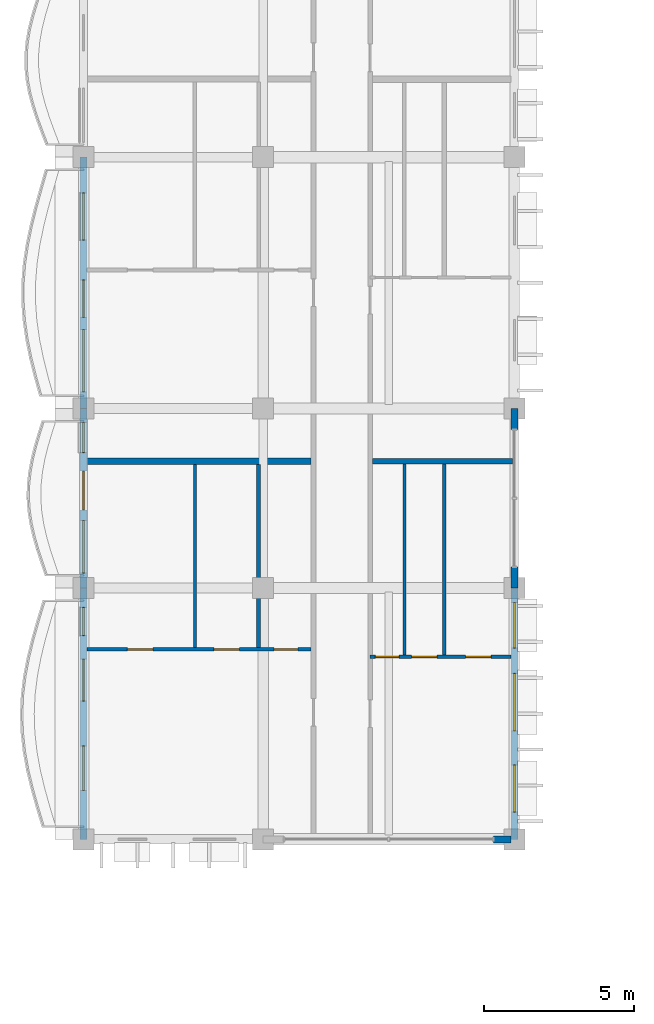
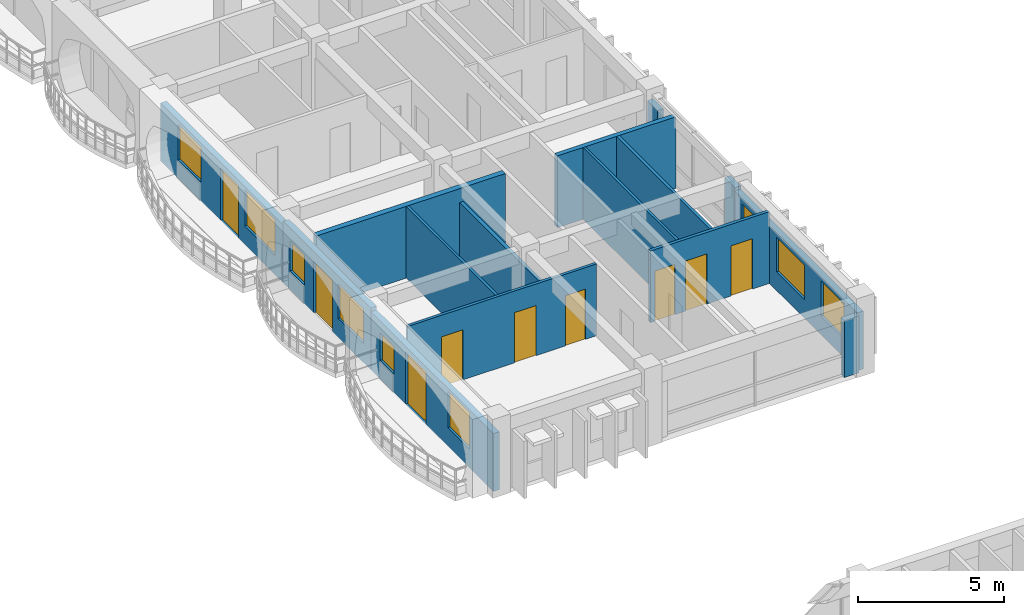
# One storey, part 31 of 79: 15 walls, 9 doors, 9 windows, 18 openings.
"""IFC4 building model written with IfcOpenShell, lengths in metres."""

from ifc_helpers import new_model, si_unit, direction, frame, frame_2d, origin, place, context, subcontext, project, spatial, rectangle, extrude, material, layer, layer_set, type_object, element, fill, save


model = new_model("IFC4")

# Units and contexts
model_context = context("Model", 3, precision=1e-05, world=origin(), true_north=direction((0.0, 1.0)))
body_context = subcontext(model_context, "Body", "Model", "MODEL_VIEW")
ifc_project = project(units=[si_unit("LENGTHUNIT", "METRE"), si_unit("AREAUNIT", "SQUARE_METRE"), si_unit("VOLUMEUNIT", "CUBIC_METRE"), si_unit("PLANEANGLEUNIT", "RADIAN"), si_unit("MASSUNIT", "GRAM", prefix="KILO"), si_unit("THERMODYNAMICTEMPERATUREUNIT", "KELVIN")], contexts=[model_context])

# Site, building, storey
site_placement = place(None, origin())
site = spatial("IfcSite", under=ifc_project, at=site_placement, CompositionType="ELEMENT")
building_placement = place(site_placement, origin())
building = spatial("IfcBuilding", under=site, at=building_placement, Name="Thalorik Housing Commons", CompositionType="ELEMENT")
storey_placement = place(building_placement, frame((0.0, 0.0, 11.39990234375)))
storey = spatial("IfcBuildingStorey", under=building, at=storey_placement, Name="L03", CompositionType="ELEMENT", Elevation=11.39990234375)

# Wall, openings, door, windows
ifc_material_1 = material(Name="White precast concrete C40/50", Category="concrete")
ifc_layer_1 = layer(ifc_material_1, 0.235107421875, Name="White precast concrete C40/50", Category="concrete")
ifc_layer_set_1 = layer_set([ifc_layer_1], Name="White precast concrete C40/50")
wall_type_1 = type_object("IfcWallType", Name="ARC-WAL-EXT-235", PredefinedType="STANDARD", material=ifc_layer_set_1)
wall_1_placement = place(storey_placement, frame((8.39990234375, 94.800048828125, 0.0), z_axis=(0.0, 0.0, 1.0), x_axis=(0.0, -1.0, 0.0)))
wall_1 = element("IfcWall", 1, at=wall_1_placement, inside=storey, type_object=wall_type_1, Name="L03 Exterior Wall WAL-EXT-L03-A-0103", PredefinedType="STANDARD", context=body_context, shape_type="SweptSolid", body=[
    extrude(rectangle(XDim=8.400146484375, YDim=0.235107421875, at=frame_2d((4.2001953125, 0.0))), origin(), (0.0, 0.0, 1.0), 2.425048828125),
])
opening_1_placement = place(wall_1_placement, frame((4.10498046875, 0.0, 0.0)))
opening_1 = element("IfcOpeningElement", 2, at=opening_1_placement, cuts=wall_1, Name="Opening ED-0027", PredefinedType="OPENING", context=body_context, shape_type="SweptSolid", body=[
    extrude(rectangle(XDim=1.25, YDim=2.199951171875, at=frame_2d((0.625, 1.10009765625))), frame((0.0, 0.12744140625, 0.0), z_axis=(0.0, -1.0, 0.0), x_axis=(1.0, 0.0, 0.0)), (0.0, 0.0, 1.0), 0.255126953125),
])
opening_2_placement = place(wall_1_placement, frame((1.1923828125, 0.0, 0.780029296875)))
opening_2 = element("IfcOpeningElement", 3, at=opening_2_placement, cuts=wall_1, Name="Opening W-53", PredefinedType="OPENING", context=body_context, shape_type="SweptSolid", body=[
    extrude(rectangle(XDim=1.580078125, YDim=1.47998046875, at=frame_2d((0.7900390625, 0.739990234375))), frame((0.0, 0.12744140625, 0.0), z_axis=(0.0, -1.0, 0.0), x_axis=(1.0, 0.0, 0.0)), (0.0, 0.0, 1.0), 0.255126953125),
])
opening_3_placement = place(wall_1_placement, frame((5.767578125, 0.0, 0.780029296875)))
opening_3 = element("IfcOpeningElement", 4, at=opening_3_placement, cuts=wall_1, Name="Opening W-63", PredefinedType="OPENING", context=body_context, shape_type="SweptSolid", body=[
    extrude(rectangle(XDim=2.080078125, YDim=1.52001953125, at=frame_2d((1.0400390625, 0.760009765625))), frame((0.0, 0.12744140625, 0.0), z_axis=(0.0, -1.0, 0.0), x_axis=(1.0, 0.0, 0.0)), (0.0, 0.0, 1.0), 0.255126953125),
])
ifc_material_2 = material(Name="Anodised aluminium and laminated safety glass", Category="aluminium")
door_type_1 = type_object("IfcDoorType", Name="ARC-DR-BAL-1250", OperationType="NOTDEFINED", PredefinedType="DOOR", material=ifc_material_2)
door_1_placement = place(opening_1_placement, frame((1.25, 0.0, 0.0), z_axis=(0.0, 0.0, 1.0), x_axis=(-1.0, 0.0, 0.0)))
door_1 = element("IfcDoor", 5, at=door_1_placement, inside=storey, type_object=door_type_1, Name="L03 Block A Balcony Glazed Door", OperationType="SINGLE_SWING_RIGHT", OverallHeight=2.199951171875, OverallWidth=1.25, PredefinedType="DOOR", context=body_context, shape_type="SweptSolid", body=[
    extrude(rectangle(XDim=1.25, YDim=2.199951171875, at=frame_2d((0.625, 1.10009765625))), frame((0.0, 0.02490234375, 0.0), z_axis=(0.0, -1.0, 0.0), x_axis=(1.0, 0.0, 0.0)), (0.0, 0.0, 1.0), 0.050048828125),
])
fill(opening_1, door_1)
ifc_material_3 = material(Name="Anodised aluminium and solar-control low-E glass", Category="aluminium")
window_type_1 = type_object("IfcWindowType", Name="ARC-WIN-53", PartitioningType="SINGLE_PANEL", PredefinedType="WINDOW", material=ifc_material_3)
window_1_placement = place(opening_2_placement, origin())
window_1 = element("IfcWindow", 6, at=window_1_placement, inside=storey, type_object=window_type_1, Name="L03 Facade Window 180", OverallHeight=1.47998046875, OverallWidth=1.580078125, PartitioningType="SINGLE_PANEL", PredefinedType="WINDOW", context=body_context, shape_type="SweptSolid", body=[
    extrude(rectangle(XDim=1.580078125, YDim=1.47998046875, at=frame_2d((0.7900390625, 0.739990234375))), frame((0.0, 0.030029296875, 0.0), z_axis=(0.0, -1.0, 0.0), x_axis=(1.0, 0.0, 0.0)), (0.0, 0.0, 1.0), 0.06005859375),
])
fill(opening_2, window_1)
window_type_2 = type_object("IfcWindowType", Name="ARC-WIN-63", PartitioningType="DOUBLE_PANEL_VERTICAL", PredefinedType="WINDOW", material=ifc_material_3)
window_2_placement = place(opening_3_placement, origin())
window_2 = element("IfcWindow", 7, at=window_2_placement, inside=storey, type_object=window_type_2, Name="L03 Facade Window 181", OverallHeight=1.52001953125, OverallWidth=2.080078125, PartitioningType="DOUBLE_PANEL_VERTICAL", PredefinedType="WINDOW", context=body_context, shape_type="SweptSolid", body=[
    extrude(rectangle(XDim=2.080078125, YDim=1.52001953125, at=frame_2d((1.0400390625, 0.760009765625))), frame((0.0, 0.030029296875, 0.0), z_axis=(0.0, -1.0, 0.0), x_axis=(1.0, 0.0, 0.0)), (0.0, 0.0, 1.0), 0.06005859375),
])
fill(opening_3, window_2)

wall_2_placement = place(storey_placement, frame((8.39990234375, 86.39990234375, 0.0), z_axis=(0.0, 0.0, 1.0), x_axis=(0.0, -1.0, 0.0)))
wall_2 = element("IfcWall", 8, at=wall_2_placement, inside=storey, type_object=wall_type_1, Name="L03 Exterior Wall WAL-EXT-L03-A-0104", PredefinedType="STANDARD", context=body_context, shape_type="SweptSolid", body=[
    extrude(rectangle(XDim=6.0, YDim=0.235107421875, at=frame_2d((3.0, 0.0))), origin(), (0.0, 0.0, 1.0), 2.5751953125),
])
opening_4_placement = place(wall_2_placement, frame((2.090087890625, 0.0, 0.0)))
opening_4 = element("IfcOpeningElement", 9, at=opening_4_placement, cuts=wall_2, Name="Opening ED-0028", PredefinedType="OPENING", context=body_context, shape_type="SweptSolid", body=[
    extrude(rectangle(XDim=1.300048828125, YDim=2.14990234375, at=frame_2d((0.64990234375, 1.074951171875))), frame((0.0, 0.12744140625, 0.0), z_axis=(0.0, -1.0, 0.0), x_axis=(1.0, 0.0, 0.0)), (0.0, 0.0, 1.0), 0.255126953125),
])
opening_5_placement = place(wall_2_placement, frame((0.47509765625, 0.0, 0.780029296875)))
opening_5 = element("IfcOpeningElement", 10, at=opening_5_placement, cuts=wall_2, Name="Opening W-02", PredefinedType="OPENING", context=body_context, shape_type="SweptSolid", body=[
    extrude(rectangle(XDim=1.0, YDim=1.25, at=frame_2d((0.5, 0.625))), frame((0.0, 0.12744140625, 0.0), z_axis=(0.0, -1.0, 0.0), x_axis=(1.0, 0.0, 0.0)), (0.0, 0.0, 1.0), 0.255126953125),
])
opening_6_placement = place(wall_2_placement, frame((3.75, 0.0, 0.780029296875)))
opening_6 = element("IfcOpeningElement", 11, at=opening_6_placement, cuts=wall_2, Name="Opening W-17", PredefinedType="OPENING", context=body_context, shape_type="SweptSolid", body=[
    extrude(rectangle(XDim=1.75, YDim=1.449951171875, at=frame_2d((0.875, 0.72509765625))), frame((0.0, 0.12744140625, 0.0), z_axis=(0.0, -1.0, 0.0), x_axis=(1.0, 0.0, 0.0)), (0.0, 0.0, 1.0), 0.255126953125),
])
door_type_2 = type_object("IfcDoorType", Name="ARC-DR-BAL-1300", OperationType="NOTDEFINED", PredefinedType="DOOR", material=ifc_material_2)
door_2_placement = place(opening_4_placement, frame((1.300048828125, 0.0, 0.0), z_axis=(0.0, 0.0, 1.0), x_axis=(-1.0, 0.0, 0.0)))
door_2 = element("IfcDoor", 12, at=door_2_placement, inside=storey, type_object=door_type_2, Name="L03 Block A Balcony Glazed Door", OperationType="SINGLE_SWING_LEFT", OverallHeight=2.14990234375, OverallWidth=1.300048828125, PredefinedType="DOOR", context=body_context, shape_type="SweptSolid", body=[
    extrude(rectangle(XDim=1.300048828125, YDim=2.14990234375, at=frame_2d((0.64990234375, 1.074951171875))), frame((0.0, 0.02490234375, 0.0), z_axis=(0.0, -1.0, 0.0), x_axis=(1.0, 0.0, 0.0)), (0.0, 0.0, 1.0), 0.050048828125),
])
fill(opening_4, door_2)
window_type_3 = type_object("IfcWindowType", Name="ARC-WIN-02", PartitioningType="SINGLE_PANEL", PredefinedType="WINDOW", material=ifc_material_3)
window_3_placement = place(opening_5_placement, origin())
window_3 = element("IfcWindow", 13, at=window_3_placement, inside=storey, type_object=window_type_3, Name="L03 Facade Window 182", OverallHeight=1.25, OverallWidth=1.0, PartitioningType="SINGLE_PANEL", PredefinedType="WINDOW", context=body_context, shape_type="SweptSolid", body=[
    extrude(rectangle(XDim=1.0, YDim=1.25, at=frame_2d((0.5, 0.625))), frame((0.0, 0.030029296875, 0.0), z_axis=(0.0, -1.0, 0.0), x_axis=(1.0, 0.0, 0.0)), (0.0, 0.0, 1.0), 0.06005859375),
])
fill(opening_5, window_3)
window_type_4 = type_object("IfcWindowType", Name="ARC-WIN-17", PartitioningType="DOUBLE_PANEL_VERTICAL", PredefinedType="WINDOW", material=ifc_material_3)
window_4_placement = place(opening_6_placement, origin())
window_4 = element("IfcWindow", 14, at=window_4_placement, inside=storey, type_object=window_type_4, Name="L03 Facade Window 183", OverallHeight=1.449951171875, OverallWidth=1.75, PartitioningType="DOUBLE_PANEL_VERTICAL", PredefinedType="WINDOW", context=body_context, shape_type="SweptSolid", body=[
    extrude(rectangle(XDim=1.75, YDim=1.449951171875, at=frame_2d((0.875, 0.72509765625))), frame((0.0, 0.030029296875, 0.0), z_axis=(0.0, -1.0, 0.0), x_axis=(1.0, 0.0, 0.0)), (0.0, 0.0, 1.0), 0.06005859375),
])
fill(opening_6, window_4)

wall_3_placement = place(storey_placement, frame((8.39990234375, 80.39990234375, 0.0), z_axis=(0.0, 0.0, 1.0), x_axis=(0.0, -1.0, 0.0)))
wall_3 = element("IfcWall", 15, at=wall_3_placement, inside=storey, type_object=wall_type_1, Name="L03 Exterior Wall WAL-EXT-L03-A-0105", PredefinedType="STANDARD", context=body_context, shape_type="SweptSolid", body=[
    extrude(rectangle(XDim=8.39990234375, YDim=0.235107421875, at=frame_2d((4.199951171875, 0.0))), origin(), (0.0, 0.0, 1.0), 2.425048828125),
])
opening_7_placement = place(wall_3_placement, frame((2.3798828125, 0.0, 0.0)))
opening_7 = element("IfcOpeningElement", 16, at=opening_7_placement, cuts=wall_3, Name="Opening ED-0029", PredefinedType="OPENING", context=body_context, shape_type="SweptSolid", body=[
    extrude(rectangle(XDim=1.39990234375, YDim=2.199951171875, at=frame_2d((0.699951171875, 1.10009765625))), frame((0.0, 0.12744140625, 0.0), z_axis=(0.0, -1.0, 0.0), x_axis=(1.0, 0.0, 0.0)), (0.0, 0.0, 1.0), 0.255126953125),
])
opening_8_placement = place(wall_3_placement, frame((0.64501953125, 0.0, 0.780029296875)))
opening_8 = element("IfcOpeningElement", 17, at=opening_8_placement, cuts=wall_3, Name="Opening W-43", PredefinedType="OPENING", context=body_context, shape_type="SweptSolid", body=[
    extrude(rectangle(XDim=0.949951171875, YDim=1.14990234375, at=frame_2d((0.47509765625, 0.574951171875))), frame((0.0, 0.12744140625, 0.0), z_axis=(0.0, -1.0, 0.0), x_axis=(1.0, 0.0, 0.0)), (0.0, 0.0, 1.0), 0.255126953125),
])
opening_9_placement = place(wall_3_placement, frame((5.280029296875, 0.0, 0.780029296875)))
opening_9 = element("IfcOpeningElement", 18, at=opening_9_placement, cuts=wall_3, Name="Opening W-51", PredefinedType="OPENING", context=body_context, shape_type="SweptSolid", body=[
    extrude(rectangle(XDim=1.47998046875, YDim=1.52001953125, at=frame_2d((0.739990234375, 0.760009765625))), frame((0.0, 0.12744140625, 0.0), z_axis=(0.0, -1.0, 0.0), x_axis=(1.0, 0.0, 0.0)), (0.0, 0.0, 1.0), 0.255126953125),
])
door_type_3 = type_object("IfcDoorType", Name="ARC-DR-BAL-1400", OperationType="NOTDEFINED", PredefinedType="DOOR", material=ifc_material_2)
door_3_placement = place(opening_7_placement, frame((1.39990234375, 0.0, 0.0), z_axis=(0.0, 0.0, 1.0), x_axis=(-1.0, 0.0, 0.0)))
door_3 = element("IfcDoor", 19, at=door_3_placement, inside=storey, type_object=door_type_3, Name="L03 Block A Balcony Glazed Door", OperationType="SLIDING_TO_LEFT", OverallHeight=2.199951171875, OverallWidth=1.39990234375, PredefinedType="DOOR", context=body_context, shape_type="SweptSolid", body=[
    extrude(rectangle(XDim=1.39990234375, YDim=2.199951171875, at=frame_2d((0.699951171875, 1.10009765625))), frame((0.0, 0.02490234375, 0.0), z_axis=(0.0, -1.0, 0.0), x_axis=(1.0, 0.0, 0.0)), (0.0, 0.0, 1.0), 0.050048828125),
])
fill(opening_7, door_3)
window_type_5 = type_object("IfcWindowType", Name="ARC-WIN-43", PartitioningType="SINGLE_PANEL", PredefinedType="WINDOW", material=ifc_material_3)
window_5_placement = place(opening_8_placement, origin())
window_5 = element("IfcWindow", 20, at=window_5_placement, inside=storey, type_object=window_type_5, Name="L03 Facade Window 184", OverallHeight=1.14990234375, OverallWidth=0.949951171875, PartitioningType="SINGLE_PANEL", PredefinedType="WINDOW", context=body_context, shape_type="SweptSolid", body=[
    extrude(rectangle(XDim=0.949951171875, YDim=1.14990234375, at=frame_2d((0.47509765625, 0.574951171875))), frame((0.0, 0.030029296875, 0.0), z_axis=(0.0, -1.0, 0.0), x_axis=(1.0, 0.0, 0.0)), (0.0, 0.0, 1.0), 0.06005859375),
])
fill(opening_8, window_5)
window_type_6 = type_object("IfcWindowType", Name="ARC-WIN-51", PartitioningType="SINGLE_PANEL", PredefinedType="WINDOW", material=ifc_material_3)
window_6_placement = place(opening_9_placement, origin())
window_6 = element("IfcWindow", 21, at=window_6_placement, inside=storey, type_object=window_type_6, Name="L03 Facade Window 185", OverallHeight=1.52001953125, OverallWidth=1.47998046875, PartitioningType="SINGLE_PANEL", PredefinedType="WINDOW", context=body_context, shape_type="SweptSolid", body=[
    extrude(rectangle(XDim=1.47998046875, YDim=1.52001953125, at=frame_2d((0.739990234375, 0.760009765625))), frame((0.0, 0.030029296875, 0.0), z_axis=(0.0, -1.0, 0.0), x_axis=(1.0, 0.0, 0.0)), (0.0, 0.0, 1.0), 0.06005859375),
])
fill(opening_9, window_6)

# Wall
wall_4_placement = place(storey_placement, frame((22.10009765625, 72.0, 0.0), z_axis=(0.0, 0.0, 1.0), x_axis=(1.0, 0.0, 0.0)))
element("IfcWall", 22, at=wall_4_placement, inside=storey, type_object=wall_type_1, Name="L03 Exterior Wall WAL-PIERR-L03-A-0107", PredefinedType="STANDARD", context=body_context, shape_type="SweptSolid", body=[
    extrude(rectangle(XDim=0.580322265625, YDim=0.235107421875, at=frame_2d((0.2900390625, 0.0))), origin(), (0.0, 0.0, 1.0), 2.375),
])

# Wall, openings, windows
wall_5_placement = place(storey_placement, frame((22.800048828125, 72.0, 0.0), z_axis=(0.0, 0.0, 1.0), x_axis=(0.0, 1.0, 0.0)))
wall_5 = element("IfcWall", 23, at=wall_5_placement, inside=storey, type_object=wall_type_1, Name="L03 Exterior Wall WAL-EXT-L03-A-0108", PredefinedType="STANDARD", context=body_context, shape_type="SweptSolid", body=[
    extrude(rectangle(XDim=8.39990234375, YDim=0.235107421875, at=frame_2d((4.199951171875, 0.0))), origin(), (0.0, 0.0, 1.0), 2.425048828125),
])
opening_10_placement = place(wall_5_placement, frame((0.912109375, 0.0, 0.780029296875)))
opening_10 = element("IfcOpeningElement", 24, at=opening_10_placement, cuts=wall_5, Name="Opening W-53", PredefinedType="OPENING", context=body_context, shape_type="SweptSolid", body=[
    extrude(rectangle(XDim=1.580078125, YDim=1.47998046875, at=frame_2d((0.7900390625, 0.739990234375))), frame((0.0, 0.12744140625, 0.0), z_axis=(0.0, -1.0, 0.0), x_axis=(1.0, 0.0, 0.0)), (0.0, 0.0, 1.0), 0.255126953125),
])
opening_11_placement = place(wall_5_placement, frame((3.626220703125, 0.0, 0.780029296875)))
opening_11 = element("IfcOpeningElement", 25, at=opening_11_placement, cuts=wall_5, Name="Opening W-60", PredefinedType="OPENING", context=body_context, shape_type="SweptSolid", body=[
    extrude(rectangle(XDim=1.919921875, YDim=1.43994140625, at=frame_2d((0.9599609375, 0.719970703125))), frame((0.0, 0.12744140625, 0.0), z_axis=(0.0, -1.0, 0.0), x_axis=(1.0, 0.0, 0.0)), (0.0, 0.0, 1.0), 0.255126953125),
])
opening_12_placement = place(wall_5_placement, frame((6.394287109375, 0.0, 0.780029296875)))
opening_12 = element("IfcOpeningElement", 26, at=opening_12_placement, cuts=wall_5, Name="Opening W-52", PredefinedType="OPENING", context=body_context, shape_type="SweptSolid", body=[
    extrude(rectangle(XDim=1.52001953125, YDim=1.419921875, at=frame_2d((0.760009765625, 0.7099609375))), frame((0.0, 0.12744140625, 0.0), z_axis=(0.0, -1.0, 0.0), x_axis=(1.0, 0.0, 0.0)), (0.0, 0.0, 1.0), 0.255126953125),
])
window_type_7 = type_object("IfcWindowType", Name="ARC-WIN-52", PartitioningType="SINGLE_PANEL", PredefinedType="WINDOW", material=ifc_material_3)
window_7_placement = place(opening_12_placement, origin())
window_7 = element("IfcWindow", 27, at=window_7_placement, inside=storey, type_object=window_type_7, Name="L03 Facade Window 190", OverallHeight=1.419921875, OverallWidth=1.52001953125, PartitioningType="SINGLE_PANEL", PredefinedType="WINDOW", context=body_context, shape_type="SweptSolid", body=[
    extrude(rectangle(XDim=1.52001953125, YDim=1.419921875, at=frame_2d((0.760009765625, 0.7099609375))), frame((0.0, 0.030029296875, 0.0), z_axis=(0.0, -1.0, 0.0), x_axis=(1.0, 0.0, 0.0)), (0.0, 0.0, 1.0), 0.06005859375),
])
fill(opening_12, window_7)
window_8_placement = place(opening_10_placement, origin())
window_8 = element("IfcWindow", 28, at=window_8_placement, inside=storey, type_object=window_type_1, Name="L03 Facade Window 188", OverallHeight=1.47998046875, OverallWidth=1.580078125, PartitioningType="SINGLE_PANEL", PredefinedType="WINDOW", context=body_context, shape_type="SweptSolid", body=[
    extrude(rectangle(XDim=1.580078125, YDim=1.47998046875, at=frame_2d((0.7900390625, 0.739990234375))), frame((0.0, 0.030029296875, 0.0), z_axis=(0.0, -1.0, 0.0), x_axis=(1.0, 0.0, 0.0)), (0.0, 0.0, 1.0), 0.06005859375),
])
fill(opening_10, window_8)
window_type_8 = type_object("IfcWindowType", Name="ARC-WIN-60", PartitioningType="DOUBLE_PANEL_VERTICAL", PredefinedType="WINDOW", material=ifc_material_3)
window_9_placement = place(opening_11_placement, origin())
window_9 = element("IfcWindow", 29, at=window_9_placement, inside=storey, type_object=window_type_8, Name="L03 Facade Window 189", OverallHeight=1.43994140625, OverallWidth=1.919921875, PartitioningType="DOUBLE_PANEL_VERTICAL", PredefinedType="WINDOW", context=body_context, shape_type="SweptSolid", body=[
    extrude(rectangle(XDim=1.919921875, YDim=1.43994140625, at=frame_2d((0.9599609375, 0.719970703125))), frame((0.0, 0.030029296875, 0.0), z_axis=(0.0, -1.0, 0.0), x_axis=(1.0, 0.0, 0.0)), (0.0, 0.0, 1.0), 0.06005859375),
])
fill(opening_11, window_9)

# Walls
wall_6_placement = place(storey_placement, frame((22.800048828125, 80.39990234375, 0.0), z_axis=(0.0, 0.0, 1.0), x_axis=(0.0, 1.0, 0.0)))
element("IfcWall", 30, at=wall_6_placement, inside=storey, type_object=wall_type_1, Name="L03 Exterior Wall WAL-PIERL-L03-A-0109", PredefinedType="STANDARD", context=body_context, shape_type="SweptSolid", body=[
    extrude(rectangle(XDim=0.7001953125, YDim=0.235107421875, at=frame_2d((0.35009765625, 0.0))), origin(), (0.0, 0.0, 1.0), 2.5751953125),
])
wall_7_placement = place(storey_placement, frame((22.800048828125, 85.699951171875, 0.0), z_axis=(0.0, 0.0, 1.0), x_axis=(0.0, 1.0, 0.0)))
element("IfcWall", 31, at=wall_7_placement, inside=storey, type_object=wall_type_1, Name="L03 Exterior Wall WAL-PIERR-L03-A-0109", PredefinedType="STANDARD", context=body_context, shape_type="SweptSolid", body=[
    extrude(rectangle(XDim=0.699951171875, YDim=0.235107421875, at=frame_2d((0.35009765625, 0.0))), origin(), (0.0, 0.0, 1.0), 2.5751953125),
])
ifc_material_4 = material(Name="Gypsum light stud partition", Category="masonry")
ifc_layer_2 = layer(ifc_material_4, 0.10009765625, Name="Gypsum light stud partition", Category="masonry")
ifc_layer_set_2 = layer_set([ifc_layer_2], Name="Gypsum light stud partition")
wall_type_2 = type_object("IfcWallType", Name="ARC-WAL-PART-100", PredefinedType="PARTITIONING", material=ifc_layer_set_2)
wall_8_placement = place(storey_placement, frame((12.11767578125, 78.409423828125, 0.0), z_axis=(0.0, 0.0, 1.0), x_axis=(0.0, 1.0, 0.0)))
element("IfcWall", 32, at=wall_8_placement, inside=storey, type_object=wall_type_2, Name="L03 Unit 1 Bedroom Partition", PredefinedType="PARTITIONING", context=body_context, shape_type="SweptSolid", body=[
    extrude(rectangle(XDim=6.11865234375, YDim=0.10009765625, at=frame_2d((3.059326171875, 0.0))), origin(), (0.0, 0.0, 1.0), 3.0),
])
wall_9_placement = place(storey_placement, frame((19.122314453125, 78.162841796875, 0.0), z_axis=(0.0, 0.0, 1.0), x_axis=(0.0, 1.0, 0.0)))
element("IfcWall", 33, at=wall_9_placement, inside=storey, type_object=wall_type_2, Name="L03 Unit 1B Wet Wall", PredefinedType="PARTITIONING", context=body_context, shape_type="SweptSolid", body=[
    extrude(rectangle(XDim=6.382568359375, YDim=0.10009765625, at=frame_2d((3.19140625, 0.0))), origin(), (0.0, 0.0, 1.0), 3.0),
])

# Wall, openings, doors
ifc_material_5 = material(Name="Gypsum moisture-resistant partition", Category="masonry")
ifc_layer_3 = layer(ifc_material_5, 0.114990234375, Name="Gypsum moisture-resistant partition", Category="masonry")
ifc_layer_set_3 = layer_set([ifc_layer_3], Name="Gypsum moisture-resistant partition")
wall_type_3 = type_object("IfcWallType", Name="ARC-WAL-PART-115", PredefinedType="PARTITIONING", material=ifc_layer_set_3)
wall_10_placement = place(storey_placement, frame((8.51953125, 78.35009765625, 0.0), z_axis=(0.0, 0.0, 1.0), x_axis=(1.0, 0.0, 0.0)))
wall_10 = element("IfcWall", 34, at=wall_10_placement, inside=storey, type_object=wall_type_3, Name="L03 Unit 1 Spine Partition", PredefinedType="PARTITIONING", context=body_context, shape_type="SweptSolid", body=[
    extrude(rectangle(XDim=7.47607421875, YDim=0.114990234375, at=frame_2d((3.738037109375, 0.0))), origin(), (0.0, 0.0, 1.0), 3.0),
])
opening_13_placement = place(wall_10_placement, frame((1.34423828125, 0.0, 0.0)))
opening_13 = element("IfcOpeningElement", 35, at=opening_13_placement, cuts=wall_10, Name="Opening ID-0525", PredefinedType="OPENING", context=body_context, shape_type="SweptSolid", body=[
    extrude(rectangle(XDim=0.85009765625, YDim=2.10009765625, at=frame_2d((0.425048828125, 1.050048828125))), frame((0.0, 0.0673828125, 0.0), z_axis=(0.0, -1.0, 0.0), x_axis=(1.0, 0.0, 0.0)), (0.0, 0.0, 1.0), 0.135009765625),
])
opening_14_placement = place(wall_10_placement, frame((4.239990234375, 0.0, 0.0)))
opening_14 = element("IfcOpeningElement", 36, at=opening_14_placement, cuts=wall_10, Name="Opening ID-0526", PredefinedType="OPENING", context=body_context, shape_type="SweptSolid", body=[
    extrude(rectangle(XDim=0.85009765625, YDim=2.10009765625, at=frame_2d((0.425048828125, 1.050048828125))), frame((0.0, 0.0673828125, 0.0), z_axis=(0.0, -1.0, 0.0), x_axis=(1.0, 0.0, 0.0)), (0.0, 0.0, 1.0), 0.135009765625),
])
opening_15_placement = place(wall_10_placement, frame((6.24609375, 0.0, 0.0)))
opening_15 = element("IfcOpeningElement", 37, at=opening_15_placement, cuts=wall_10, Name="Opening ID-0527", PredefinedType="OPENING", context=body_context, shape_type="SweptSolid", body=[
    extrude(rectangle(XDim=0.800048828125, YDim=2.10009765625, at=frame_2d((0.39990234375, 1.050048828125))), frame((0.0, 0.0673828125, 0.0), z_axis=(0.0, -1.0, 0.0), x_axis=(1.0, 0.0, 0.0)), (0.0, 0.0, 1.0), 0.135009765625),
])
ifc_material_6 = material(Name="Moisture-resistant timber", Category="wood")
door_type_4 = type_object("IfcDoorType", Name="ARC-DR-INT-800", OperationType="NOTDEFINED", PredefinedType="DOOR", material=ifc_material_6)
door_4_placement = place(opening_15_placement, origin())
door_4 = element("IfcDoor", 38, at=door_4_placement, inside=storey, type_object=door_type_4, Name="L03 Flat Bathroom Door", OperationType="SINGLE_SWING_RIGHT", OverallHeight=2.10009765625, OverallWidth=0.800048828125, PredefinedType="DOOR", context=body_context, shape_type="SweptSolid", body=[
    extrude(rectangle(XDim=0.800048828125, YDim=2.10009765625, at=frame_2d((0.39990234375, 1.050048828125))), frame((0.0, 0.02490234375, 0.0), z_axis=(0.0, -1.0, 0.0), x_axis=(1.0, 0.0, 0.0)), (0.0, 0.0, 1.0), 0.050048828125),
])
fill(opening_15, door_4)
ifc_material_7 = material(Name="Engineered oak timber", Category="wood")
door_type_5 = type_object("IfcDoorType", Name="ARC-DR-INT-850", OperationType="NOTDEFINED", PredefinedType="DOOR", material=ifc_material_7)
door_5_placement = place(opening_13_placement, origin())
door_5 = element("IfcDoor", 39, at=door_5_placement, inside=storey, type_object=door_type_5, Name="L03 Double Bedroom Door", OperationType="SINGLE_SWING_RIGHT", OverallHeight=2.10009765625, OverallWidth=0.85009765625, PredefinedType="DOOR", context=body_context, shape_type="SweptSolid", body=[
    extrude(rectangle(XDim=0.85009765625, YDim=2.10009765625, at=frame_2d((0.425048828125, 1.050048828125))), frame((0.0, 0.02490234375, 0.0), z_axis=(0.0, -1.0, 0.0), x_axis=(1.0, 0.0, 0.0)), (0.0, 0.0, 1.0), 0.050048828125),
])
fill(opening_13, door_5)
door_6_placement = place(opening_14_placement, origin())
door_6 = element("IfcDoor", 40, at=door_6_placement, inside=storey, type_object=door_type_5, Name="L03 Galley Kitchen Door", OperationType="SINGLE_SWING_LEFT", OverallHeight=2.10009765625, OverallWidth=0.85009765625, PredefinedType="DOOR", context=body_context, shape_type="SweptSolid", body=[
    extrude(rectangle(XDim=0.85009765625, YDim=2.10009765625, at=frame_2d((0.425048828125, 1.050048828125))), frame((0.0, 0.02490234375, 0.0), z_axis=(0.0, -1.0, 0.0), x_axis=(1.0, 0.0, 0.0)), (0.0, 0.0, 1.0), 0.050048828125),
])
fill(opening_14, door_6)

# Wall
wall_11_placement = place(storey_placement, frame((20.455078125, 78.162841796875, 0.0), z_axis=(0.0, 0.0, 1.0), x_axis=(0.0, 1.0, 0.0)))
element("IfcWall", 41, at=wall_11_placement, inside=storey, type_object=wall_type_3, Name="L03 Unit 1B Bedroom Partition", PredefinedType="PARTITIONING", context=body_context, shape_type="SweptSolid", body=[
    extrude(rectangle(XDim=6.382568359375, YDim=0.114990234375, at=frame_2d((3.19140625, 0.0))), origin(), (0.0, 0.0, 1.0), 3.0),
])

# Wall, openings, doors
ifc_material_8 = material(Name="Gypsum acoustic stud partition", Category="masonry")
ifc_layer_4 = layer(ifc_material_8, 0.125, Name="Gypsum acoustic stud partition", Category="masonry")
ifc_layer_set_4 = layer_set([ifc_layer_4], Name="Gypsum acoustic stud partition")
wall_type_4 = type_object("IfcWallType", Name="ARC-WAL-PART-125", PredefinedType="PARTITIONING", material=ifc_layer_set_4)
wall_12_placement = place(storey_placement, frame((17.97998046875, 78.098388671875, 0.0), z_axis=(0.0, 0.0, 1.0), x_axis=(1.0, 0.0, 0.0)))
wall_12 = element("IfcWall", 42, at=wall_12_placement, inside=storey, type_object=wall_type_4, Name="L03 Unit 1B Spine Partition", PredefinedType="PARTITIONING", context=body_context, shape_type="SweptSolid", body=[
    extrude(rectangle(XDim=4.700439453125, YDim=0.125, at=frame_2d((2.35009765625, 0.0))), origin(), (0.0, 0.0, 1.0), 3.0),
])
opening_16_placement = place(wall_12_placement, frame((0.171142578125, 0.0, 0.0)))
opening_16 = element("IfcOpeningElement", 43, at=opening_16_placement, cuts=wall_12, Name="Opening ID-0528", PredefinedType="OPENING", context=body_context, shape_type="SweptSolid", body=[
    extrude(rectangle(XDim=0.800048828125, YDim=2.10009765625, at=frame_2d((0.39990234375, 1.050048828125))), frame((0.0, 0.072509765625, 0.0), z_axis=(0.0, -1.0, 0.0), x_axis=(1.0, 0.0, 0.0)), (0.0, 0.0, 1.0), 0.14501953125),
])
opening_17_placement = place(wall_12_placement, frame((1.3837890625, 0.0, 0.0)))
opening_17 = element("IfcOpeningElement", 44, at=opening_17_placement, cuts=wall_12, Name="Opening ID-0529", PredefinedType="OPENING", context=body_context, shape_type="SweptSolid", body=[
    extrude(rectangle(XDim=0.85009765625, YDim=2.10009765625, at=frame_2d((0.425048828125, 1.050048828125))), frame((0.0, 0.072509765625, 0.0), z_axis=(0.0, -1.0, 0.0), x_axis=(1.0, 0.0, 0.0)), (0.0, 0.0, 1.0), 0.14501953125),
])
opening_18_placement = place(wall_12_placement, frame((3.192626953125, 0.0, 0.0)))
opening_18 = element("IfcOpeningElement", 45, at=opening_18_placement, cuts=wall_12, Name="Opening ID-0530", PredefinedType="OPENING", context=body_context, shape_type="SweptSolid", body=[
    extrude(rectangle(XDim=0.85009765625, YDim=2.10009765625, at=frame_2d((0.425048828125, 1.050048828125))), frame((0.0, 0.072509765625, 0.0), z_axis=(0.0, -1.0, 0.0), x_axis=(1.0, 0.0, 0.0)), (0.0, 0.0, 1.0), 0.14501953125),
])
door_7_placement = place(opening_16_placement, origin())
door_7 = element("IfcDoor", 46, at=door_7_placement, inside=storey, type_object=door_type_4, Name="L03 Accessible Bathroom Door", OperationType="SINGLE_SWING_LEFT", OverallHeight=2.10009765625, OverallWidth=0.800048828125, PredefinedType="DOOR", context=body_context, shape_type="SweptSolid", body=[
    extrude(rectangle(XDim=0.800048828125, YDim=2.10009765625, at=frame_2d((0.39990234375, 1.050048828125))), frame((0.0, 0.02490234375, 0.0), z_axis=(0.0, -1.0, 0.0), x_axis=(1.0, 0.0, 0.0)), (0.0, 0.0, 1.0), 0.050048828125),
])
fill(opening_16, door_7)
door_8_placement = place(opening_17_placement, origin())
door_8 = element("IfcDoor", 47, at=door_8_placement, inside=storey, type_object=door_type_5, Name="L03 Galley Kitchen Door", OperationType="SINGLE_SWING_RIGHT", OverallHeight=2.10009765625, OverallWidth=0.85009765625, PredefinedType="DOOR", context=body_context, shape_type="SweptSolid", body=[
    extrude(rectangle(XDim=0.85009765625, YDim=2.10009765625, at=frame_2d((0.425048828125, 1.050048828125))), frame((0.0, 0.02490234375, 0.0), z_axis=(0.0, -1.0, 0.0), x_axis=(1.0, 0.0, 0.0)), (0.0, 0.0, 1.0), 0.050048828125),
])
fill(opening_17, door_8)
door_9_placement = place(opening_18_placement, origin())
door_9 = element("IfcDoor", 48, at=door_9_placement, inside=storey, type_object=door_type_5, Name="L03 Double Bedroom Door", OperationType="SINGLE_SWING_LEFT", OverallHeight=2.10009765625, OverallWidth=0.85009765625, PredefinedType="DOOR", context=body_context, shape_type="SweptSolid", body=[
    extrude(rectangle(XDim=0.85009765625, YDim=2.10009765625, at=frame_2d((0.425048828125, 1.050048828125))), frame((0.0, 0.02490234375, 0.0), z_axis=(0.0, -1.0, 0.0), x_axis=(1.0, 0.0, 0.0)), (0.0, 0.0, 1.0), 0.050048828125),
])
fill(opening_18, door_9)

# Walls
ifc_material_9 = material(Name="Ceramic masonry partition wall", Category="masonry")
ifc_layer_5 = layer(ifc_material_9, 0.139892578125, Name="Ceramic masonry partition wall", Category="masonry")
ifc_layer_set_5 = layer_set([ifc_layer_5], Name="Ceramic masonry partition wall")
wall_type_5 = type_object("IfcWallType", Name="ARC-WAL-PART-140", PredefinedType="PARTITIONING", material=ifc_layer_set_5)
wall_13_placement = place(storey_placement, frame((14.251220703125, 78.409423828125, 0.0), z_axis=(0.0, 0.0, 1.0), x_axis=(0.0, 1.0, 0.0)))
element("IfcWall", 49, at=wall_13_placement, inside=storey, type_object=wall_type_5, Name="L03 Unit 1 Wet Wall", PredefinedType="PARTITIONING", context=body_context, shape_type="SweptSolid", body=[
    extrude(rectangle(XDim=6.11865234375, YDim=0.139892578125, at=frame_2d((3.059326171875, 0.0))), origin(), (0.0, 0.0, 1.0), 2.425048828125),
])
ifc_material_10 = material(Name="Masonry acoustic blockwork wall", Category="masonry")
ifc_layer_6 = layer(ifc_material_10, 0.18505859375, Name="Masonry acoustic blockwork wall", Category="masonry")
ifc_layer_set_6 = layer_set([ifc_layer_6], Name="Masonry acoustic blockwork wall")
wall_type_6 = type_object("IfcWallType", Name="ARC-WAL-PARTY-185", PredefinedType="PARTITIONING", material=ifc_layer_set_6)
wall_14_placement = place(storey_placement, frame((18.056884765625, 84.639892578125, 0.0), z_axis=(0.0, 0.0, 1.0), x_axis=(1.0, 0.0, 0.0)))
element("IfcWall", 50, at=wall_14_placement, inside=storey, type_object=wall_type_6, Name="L03 Inter-Tenancy Wall 1B", PredefinedType="PARTITIONING", context=body_context, shape_type="SweptSolid", body=[
    extrude(rectangle(XDim=4.68310546875, YDim=0.18505859375, at=frame_2d((2.341552734375, 0.0))), origin(), (0.0, 0.0, 1.0), 3.0),
])
ifc_material_11 = material(Name="Precast concrete C40/50 acoustic wall", Category="concrete")
ifc_layer_7 = layer(ifc_material_11, 0.219970703125, Name="Precast concrete C40/50 acoustic wall", Category="concrete")
ifc_layer_set_7 = layer_set([ifc_layer_7], Name="Precast concrete C40/50 acoustic wall")
wall_type_7 = type_object("IfcWallType", Name="ARC-WAL-PARTY-220", PredefinedType="PARTITIONING", material=ifc_layer_set_7)
wall_15_placement = place(storey_placement, frame((8.51953125, 84.639892578125, 0.0), z_axis=(0.0, 0.0, 1.0), x_axis=(1.0, 0.0, 0.0)))
element("IfcWall", 51, at=wall_15_placement, inside=storey, type_object=wall_type_7, Name="L03 Inter-Tenancy Wall 1A", PredefinedType="PARTITIONING", context=body_context, shape_type="SweptSolid", body=[
    extrude(rectangle(XDim=7.47607421875, YDim=0.219970703125, at=frame_2d((3.738037109375, 0.0))), origin(), (0.0, 0.0, 1.0), 3.0),
])

save(model, "model.ifc")
